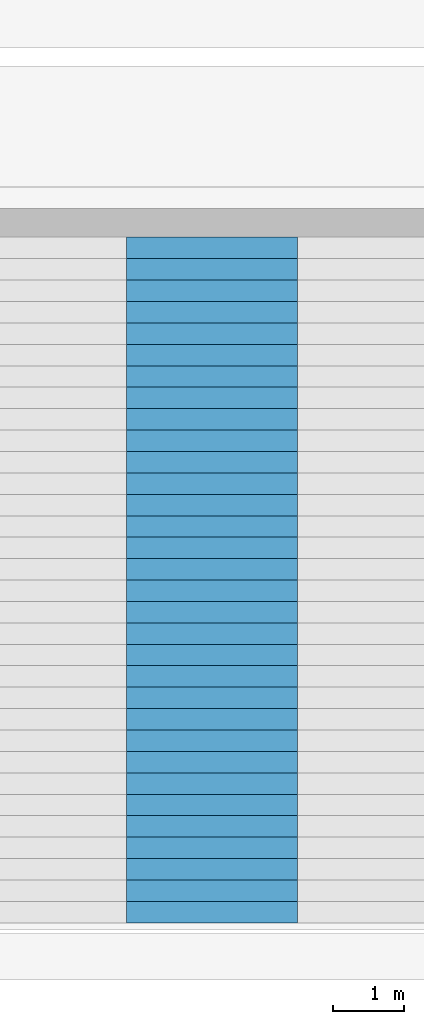
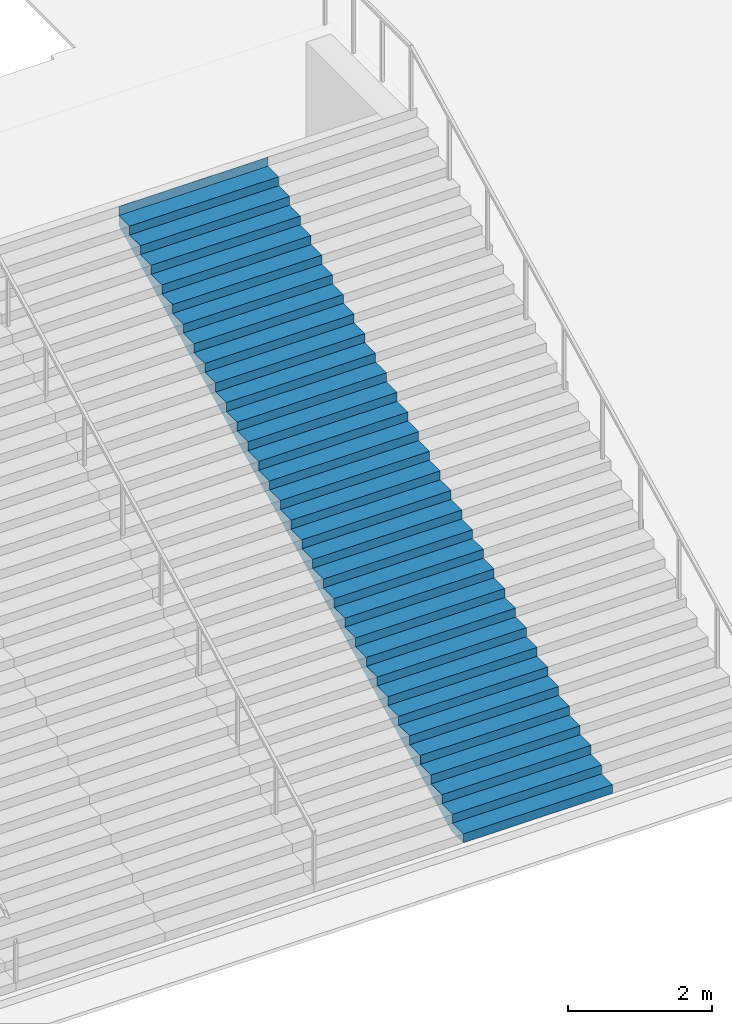
# One storey, part 38 of 57: 1 stair flight, 1 element without a shape of its own.
"""IFC4 building model written with IfcOpenShell, lengths in metres."""

from ifc_helpers import new_model, si_unit, direction, frame, origin, place, context, subcontext, project, spatial, triangles, material, type_object, element, aggregate, save


model = new_model("IFC4")

# Units and contexts
model_context = context("Model", 3, precision=1e-05, world=origin(), true_north=direction((0.0, 1.0)))
body_context = subcontext(model_context, "Body", "Model", "MODEL_VIEW")
ifc_project = project(units=[si_unit("LENGTHUNIT", "METRE"), si_unit("AREAUNIT", "SQUARE_METRE"), si_unit("VOLUMEUNIT", "CUBIC_METRE"), si_unit("PLANEANGLEUNIT", "RADIAN"), si_unit("MASSUNIT", "GRAM", prefix="KILO")], contexts=[model_context])

# Site, building, storey
site_placement = place(None, origin())
site = spatial("IfcSite", under=ifc_project, at=site_placement, CompositionType="ELEMENT")
building_placement = place(site_placement, origin())
building = spatial("IfcBuilding", under=site, at=building_placement, Name="Beryl Residences", CompositionType="ELEMENT")
storey_placement = place(building_placement, origin())
storey = spatial("IfcBuildingStorey", under=building, at=storey_placement, Name="L00", CompositionType="ELEMENT", Elevation=0.0)

# Stair, stair flight
ifc_material_1 = material(Name="Precast concrete C40/50", Category="concrete")
stair_type = type_object("IfcStairType", Name="GS1 garden stair", PredefinedType="STRAIGHT_RUN_STAIR", material=ifc_material_1)
stair_placement = place(storey_placement, origin())
stair = element("IfcStair", 1, at=stair_placement, inside=storey, type_object=stair_type, Name="GS1 garden stair", PredefinedType="STRAIGHT_RUN_STAIR")
ifc_material_2 = material(Name="Precast concrete C40/50", Category="concrete")
stair_flight_type = type_object("IfcStairFlightType", Name="GF1 garden stair flight", PredefinedType="STRAIGHT", material=ifc_material_2)
stair_flight_placement = place(storey_placement, frame((8.39990234375, -54.199951171875, 0.0), z_axis=(0.0, 0.0, 1.0), x_axis=(0.0, 1.0, 0.0)))
stair_flight = element("IfcStairFlight", 2, at=stair_flight_placement, type_object=stair_flight_type, Name="GS1 flight 9", NumberOfRisers=33, NumberOfTreads=32, PredefinedType="STRAIGHT", RiserHeight=0.151515152, TreadLength=0.3, context=body_context, shape_type="Tessellation", body=[
    triangles([(0.0, -1.199951171875, 0.0), (0.0, -0.60009765625, 0.0), (0.0, 0.0, 0.0), (0.0, 0.60009765625, 0.0), (0.0, 1.199951171875, 0.0), (0.0, -1.199951171875, 0.151611328125), (0.0, -0.60009765625, 0.151611328125), (0.0, 0.0, 0.151611328125), (0.0, 0.60009765625, 0.151611328125), (0.0, 1.199951171875, 0.151611328125), (0.300048828125, -1.199951171875, 0.151611328125), (0.300048828125, -0.60009765625, 0.151611328125), (0.300048828125, 0.0, 0.151611328125), (0.300048828125, 0.60009765625, 0.151611328125), (0.300048828125, 1.199951171875, 0.151611328125), (0.300048828125, -1.199951171875, 0.302978515625), (0.300048828125, -0.60009765625, 0.302978515625), (0.300048828125, 0.0, 0.302978515625), (0.300048828125, 0.60009765625, 0.302978515625), (0.300048828125, 1.199951171875, 0.302978515625), (0.60009765625, -1.199951171875, 0.302978515625), (0.60009765625, -0.60009765625, 0.302978515625), (0.60009765625, 0.0, 0.302978515625), (0.60009765625, 0.60009765625, 0.302978515625), (0.60009765625, 1.199951171875, 0.302978515625), (0.60009765625, -1.199951171875, 0.45458984375), (0.60009765625, -0.60009765625, 0.45458984375), (0.60009765625, 0.0, 0.45458984375), (0.60009765625, 0.60009765625, 0.45458984375), (0.60009765625, 1.199951171875, 0.45458984375), (0.89990234375, -1.199951171875, 0.45458984375), (0.89990234375, -0.60009765625, 0.45458984375), (0.89990234375, 0.0, 0.45458984375), (0.89990234375, 0.60009765625, 0.45458984375), (0.89990234375, 1.199951171875, 0.45458984375), (0.89990234375, -1.199951171875, 0.60595703125), (0.89990234375, -0.60009765625, 0.60595703125), (0.89990234375, 0.0, 0.60595703125), (0.89990234375, 0.60009765625, 0.60595703125), (0.89990234375, 1.199951171875, 0.60595703125), (1.199951171875, -1.199951171875, 0.60595703125), (1.199951171875, -0.60009765625, 0.60595703125), (1.199951171875, 0.0, 0.60595703125), (1.199951171875, 0.60009765625, 0.60595703125), (1.199951171875, 1.199951171875, 0.60595703125), (1.199951171875, -1.199951171875, 0.757568359375), (1.199951171875, -0.60009765625, 0.757568359375), (1.199951171875, 0.0, 0.757568359375), (1.199951171875, 0.60009765625, 0.757568359375), (1.199951171875, 1.199951171875, 0.757568359375), (1.5, -1.199951171875, 0.757568359375), (1.5, -0.60009765625, 0.757568359375), (1.5, 0.0, 0.757568359375), (1.5, 0.60009765625, 0.757568359375), (1.5, 1.199951171875, 0.757568359375), (1.5, -1.199951171875, 0.9091796875), (1.5, -0.60009765625, 0.9091796875), (1.5, 0.0, 0.9091796875), (1.5, 0.60009765625, 0.9091796875), (1.5, 1.199951171875, 0.9091796875), (1.800048828125, -1.199951171875, 0.9091796875), (1.800048828125, -0.60009765625, 0.9091796875), (1.800048828125, 0.0, 0.9091796875), (1.800048828125, 0.60009765625, 0.9091796875), (1.800048828125, 1.199951171875, 0.9091796875), (1.800048828125, -1.199951171875, 1.060546875), (1.800048828125, -0.60009765625, 1.060546875), (1.800048828125, 0.0, 1.060546875), (1.800048828125, 0.60009765625, 1.060546875), (1.800048828125, 1.199951171875, 1.060546875), (2.10009765625, -1.199951171875, 1.060546875), (2.10009765625, -0.60009765625, 1.060546875), (2.10009765625, 0.0, 1.060546875), (2.10009765625, 0.60009765625, 1.060546875), (2.10009765625, 1.199951171875, 1.060546875), (2.10009765625, -1.199951171875, 1.212158203125), (2.10009765625, -0.60009765625, 1.212158203125), (2.10009765625, 0.0, 1.212158203125), (2.10009765625, 0.60009765625, 1.212158203125), (2.10009765625, 1.199951171875, 1.212158203125), (2.39990234375, -1.199951171875, 1.212158203125), (2.39990234375, -0.60009765625, 1.212158203125), (2.39990234375, 0.0, 1.212158203125), (2.39990234375, 0.60009765625, 1.212158203125), (2.39990234375, 1.199951171875, 1.212158203125), (2.39990234375, -1.199951171875, 1.363525390625), (2.39990234375, -0.60009765625, 1.363525390625), (2.39990234375, 0.0, 1.363525390625), (2.39990234375, 0.60009765625, 1.363525390625), (2.39990234375, 1.199951171875, 1.363525390625), (2.699951171875, -1.199951171875, 1.363525390625), (2.699951171875, -0.60009765625, 1.363525390625), (2.699951171875, 0.0, 1.363525390625), (2.699951171875, 0.60009765625, 1.363525390625), (2.699951171875, 1.199951171875, 1.363525390625), (2.699951171875, -1.199951171875, 1.51513671875), (2.699951171875, -0.60009765625, 1.51513671875), (2.699951171875, 0.0, 1.51513671875), (2.699951171875, 0.60009765625, 1.51513671875), (2.699951171875, 1.199951171875, 1.51513671875), (3.0, -1.199951171875, 1.51513671875), (3.0, -0.60009765625, 1.51513671875), (3.0, 0.0, 1.51513671875), (3.0, 0.60009765625, 1.51513671875), (3.0, 1.199951171875, 1.51513671875), (3.0, -1.199951171875, 1.666748046875), (3.0, -0.60009765625, 1.666748046875), (3.0, 0.0, 1.666748046875), (3.0, 0.60009765625, 1.666748046875), (3.0, 1.199951171875, 1.666748046875), (3.300048828125, -1.199951171875, 1.666748046875), (3.300048828125, -0.60009765625, 1.666748046875), (3.300048828125, 0.0, 1.666748046875), (3.300048828125, 0.60009765625, 1.666748046875), (3.300048828125, 1.199951171875, 1.666748046875), (3.300048828125, -1.199951171875, 1.818115234375), (3.300048828125, -0.60009765625, 1.818115234375), (3.300048828125, 0.0, 1.818115234375), (3.300048828125, 0.60009765625, 1.818115234375), (3.300048828125, 1.199951171875, 1.818115234375), (3.60009765625, -1.199951171875, 1.818115234375), (3.60009765625, -0.60009765625, 1.818115234375), (3.60009765625, 0.0, 1.818115234375), (3.60009765625, 0.60009765625, 1.818115234375), (3.60009765625, 1.199951171875, 1.818115234375), (3.60009765625, -1.199951171875, 1.9697265625), (3.60009765625, -0.60009765625, 1.9697265625), (3.60009765625, 0.0, 1.9697265625), (3.60009765625, 0.60009765625, 1.9697265625), (3.60009765625, 1.199951171875, 1.9697265625), (3.89990234375, -1.199951171875, 1.9697265625), (3.89990234375, -0.60009765625, 1.9697265625), (3.89990234375, 0.0, 1.9697265625), (3.89990234375, 0.60009765625, 1.9697265625), (3.89990234375, 1.199951171875, 1.9697265625), (3.89990234375, -1.199951171875, 2.12109375), (3.89990234375, -0.60009765625, 2.12109375), (3.89990234375, 0.0, 2.12109375), (3.89990234375, 0.60009765625, 2.12109375), (3.89990234375, 1.199951171875, 2.12109375), (4.199951171875, -1.199951171875, 2.12109375), (4.199951171875, -0.60009765625, 2.12109375), (4.199951171875, 0.0, 2.12109375), (4.199951171875, 0.60009765625, 2.12109375), (4.199951171875, 1.199951171875, 2.12109375), (4.199951171875, -1.199951171875, 2.272705078125), (4.199951171875, -0.60009765625, 2.272705078125), (4.199951171875, 0.0, 2.272705078125), (4.199951171875, 0.60009765625, 2.272705078125), (4.199951171875, 1.199951171875, 2.272705078125), (4.5, -1.199951171875, 2.272705078125), (4.5, -0.60009765625, 2.272705078125), (4.5, 0.0, 2.272705078125), (4.5, 0.60009765625, 2.272705078125), (4.5, 1.199951171875, 2.272705078125), (4.5, -1.199951171875, 2.42431640625), (4.5, -0.60009765625, 2.42431640625), (4.5, 0.0, 2.42431640625), (4.5, 0.60009765625, 2.42431640625), (4.5, 1.199951171875, 2.42431640625), (4.800048828125, -1.199951171875, 2.42431640625), (4.800048828125, -0.60009765625, 2.42431640625), (4.800048828125, 0.0, 2.42431640625), (4.800048828125, 0.60009765625, 2.42431640625), (4.800048828125, 1.199951171875, 2.42431640625), (4.800048828125, -1.199951171875, 2.57568359375), (4.800048828125, -0.60009765625, 2.57568359375), (4.800048828125, 0.0, 2.57568359375), (4.800048828125, 0.60009765625, 2.57568359375), (4.800048828125, 1.199951171875, 2.57568359375), (5.10009765625, -1.199951171875, 2.57568359375), (5.10009765625, -0.60009765625, 2.57568359375), (5.10009765625, 0.0, 2.57568359375), (5.10009765625, 0.60009765625, 2.57568359375), (5.10009765625, 1.199951171875, 2.57568359375), (5.10009765625, -1.199951171875, 2.727294921875), (5.10009765625, -0.60009765625, 2.727294921875), (5.10009765625, 0.0, 2.727294921875), (5.10009765625, 0.60009765625, 2.727294921875), (5.10009765625, 1.199951171875, 2.727294921875), (5.39990234375, -1.199951171875, 2.727294921875), (5.39990234375, -0.60009765625, 2.727294921875), (5.39990234375, 0.0, 2.727294921875), (5.39990234375, 0.60009765625, 2.727294921875), (5.39990234375, 1.199951171875, 2.727294921875), (5.39990234375, -1.199951171875, 2.87890625), (5.39990234375, -0.60009765625, 2.87890625), (5.39990234375, 0.0, 2.87890625), (5.39990234375, 0.60009765625, 2.87890625), (5.39990234375, 1.199951171875, 2.87890625), (5.699951171875, -1.199951171875, 2.87890625), (5.699951171875, -0.60009765625, 2.87890625), (5.699951171875, 0.0, 2.87890625), (5.699951171875, 0.60009765625, 2.87890625), (5.699951171875, 1.199951171875, 2.87890625), (5.699951171875, -1.199951171875, 3.0302734375), (5.699951171875, -0.60009765625, 3.0302734375), (5.699951171875, 0.0, 3.0302734375), (5.699951171875, 0.60009765625, 3.0302734375), (5.699951171875, 1.199951171875, 3.0302734375), (6.0, -1.199951171875, 3.0302734375), (6.0, -0.60009765625, 3.0302734375), (6.0, 0.0, 3.0302734375), (6.0, 0.60009765625, 3.0302734375), (6.0, 1.199951171875, 3.0302734375), (6.0, -1.199951171875, 3.181884765625), (6.0, -0.60009765625, 3.181884765625), (6.0, 0.0, 3.181884765625), (6.0, 0.60009765625, 3.181884765625), (6.0, 1.199951171875, 3.181884765625), (6.300048828125, -1.199951171875, 3.181884765625), (6.300048828125, -0.60009765625, 3.181884765625), (6.300048828125, 0.0, 3.181884765625), (6.300048828125, 0.60009765625, 3.181884765625), (6.300048828125, 1.199951171875, 3.181884765625), (6.300048828125, -1.199951171875, 3.333251953125), (6.300048828125, -0.60009765625, 3.333251953125), (6.300048828125, 0.0, 3.333251953125), (6.300048828125, 0.60009765625, 3.333251953125), (6.300048828125, 1.199951171875, 3.333251953125), (6.60009765625, -1.199951171875, 3.333251953125), (6.60009765625, -0.60009765625, 3.333251953125), (6.60009765625, 0.0, 3.333251953125), (6.60009765625, 0.60009765625, 3.333251953125), (6.60009765625, 1.199951171875, 3.333251953125), (6.60009765625, -1.199951171875, 3.48486328125), (6.60009765625, -0.60009765625, 3.48486328125), (6.60009765625, 0.0, 3.48486328125), (6.60009765625, 0.60009765625, 3.48486328125), (6.60009765625, 1.199951171875, 3.48486328125), (6.89990234375, -1.199951171875, 3.48486328125), (6.89990234375, -0.60009765625, 3.48486328125), (6.89990234375, 0.0, 3.48486328125), (6.89990234375, 0.60009765625, 3.48486328125), (6.89990234375, 1.199951171875, 3.48486328125), (6.89990234375, -1.199951171875, 3.636474609375), (6.89990234375, -0.60009765625, 3.636474609375), (6.89990234375, 0.0, 3.636474609375), (6.89990234375, 0.60009765625, 3.636474609375), (6.89990234375, 1.199951171875, 3.636474609375), (7.199951171875, -1.199951171875, 3.636474609375), (7.199951171875, -0.60009765625, 3.636474609375), (7.199951171875, 0.0, 3.636474609375), (7.199951171875, 0.60009765625, 3.636474609375), (7.199951171875, 1.199951171875, 3.636474609375), (7.199951171875, -1.199951171875, 3.787841796875), (7.199951171875, -0.60009765625, 3.787841796875), (7.199951171875, 0.0, 3.787841796875), (7.199951171875, 0.60009765625, 3.787841796875), (7.199951171875, 1.199951171875, 3.787841796875), (7.5, -1.199951171875, 3.787841796875), (7.5, -0.60009765625, 3.787841796875), (7.5, 0.0, 3.787841796875), (7.5, 0.60009765625, 3.787841796875), (7.5, 1.199951171875, 3.787841796875), (7.5, -1.199951171875, 3.939453125), (7.5, -0.60009765625, 3.939453125), (7.5, 0.0, 3.939453125), (7.5, 0.60009765625, 3.939453125), (7.5, 1.199951171875, 3.939453125), (7.800048828125, -1.199951171875, 3.939453125), (7.800048828125, -0.60009765625, 3.939453125), (7.800048828125, 0.0, 3.939453125), (7.800048828125, 0.60009765625, 3.939453125), (7.800048828125, 1.199951171875, 3.939453125), (7.800048828125, -1.199951171875, 4.0908203125), (7.800048828125, -0.60009765625, 4.0908203125), (7.800048828125, 0.0, 4.0908203125), (7.800048828125, 0.60009765625, 4.0908203125), (7.800048828125, 1.199951171875, 4.0908203125), (8.10009765625, -1.199951171875, 4.0908203125), (8.10009765625, -0.60009765625, 4.0908203125), (8.10009765625, 0.0, 4.0908203125), (8.10009765625, 0.60009765625, 4.0908203125), (8.10009765625, 1.199951171875, 4.0908203125), (8.10009765625, -1.199951171875, 4.242431640625), (8.10009765625, -0.60009765625, 4.242431640625), (8.10009765625, 0.0, 4.242431640625), (8.10009765625, 0.60009765625, 4.242431640625), (8.10009765625, 1.199951171875, 4.242431640625), (8.39990234375, -1.199951171875, 4.242431640625), (8.39990234375, -0.60009765625, 4.242431640625), (8.39990234375, 0.0, 4.242431640625), (8.39990234375, 0.60009765625, 4.242431640625), (8.39990234375, 1.199951171875, 4.242431640625), (8.39990234375, -1.199951171875, 4.39404296875), (8.39990234375, -0.60009765625, 4.39404296875), (8.39990234375, 0.0, 4.39404296875), (8.39990234375, 0.60009765625, 4.39404296875), (8.39990234375, 1.199951171875, 4.39404296875), (8.699951171875, -1.199951171875, 4.39404296875), (8.699951171875, -0.60009765625, 4.39404296875), (8.699951171875, 0.0, 4.39404296875), (8.699951171875, 0.60009765625, 4.39404296875), (8.699951171875, 1.199951171875, 4.39404296875), (8.699951171875, -1.199951171875, 4.54541015625), (8.699951171875, -0.60009765625, 4.54541015625), (8.699951171875, 0.0, 4.54541015625), (8.699951171875, 0.60009765625, 4.54541015625), (8.699951171875, 1.199951171875, 4.54541015625), (9.0, -1.199951171875, 4.54541015625), (9.0, -0.60009765625, 4.54541015625), (9.0, 0.0, 4.54541015625), (9.0, 0.60009765625, 4.54541015625), (9.0, 1.199951171875, 4.54541015625), (9.0, -1.199951171875, 4.697021484375), (9.0, -0.60009765625, 4.697021484375), (9.0, 0.0, 4.697021484375), (9.0, 0.60009765625, 4.697021484375), (9.0, 1.199951171875, 4.697021484375), (9.300048828125, -1.199951171875, 4.697021484375), (9.300048828125, -0.60009765625, 4.697021484375), (9.300048828125, 0.0, 4.697021484375), (9.300048828125, 0.60009765625, 4.697021484375), (9.300048828125, 1.199951171875, 4.697021484375), (9.300048828125, -1.199951171875, 4.848388671875), (9.300048828125, -0.60009765625, 4.848388671875), (9.300048828125, 0.0, 4.848388671875), (9.300048828125, 0.60009765625, 4.848388671875), (9.300048828125, 1.199951171875, 4.848388671875), (9.60009765625, -1.199951171875, 4.848388671875), (9.60009765625, -0.60009765625, 4.848388671875), (9.60009765625, 0.0, 4.848388671875), (9.60009765625, 0.60009765625, 4.848388671875), (9.60009765625, 1.199951171875, 4.848388671875), (9.60009765625, -1.199951171875, 5.0), (9.60009765625, -0.60009765625, 5.0), (9.60009765625, 0.0, 5.0), (9.60009765625, 0.60009765625, 5.0), (9.60009765625, 1.199951171875, 5.0), (9.60107421875, -1.199951171875, 5.0), (9.60107421875, -0.60009765625, 5.0), (9.60107421875, 0.0, 5.0), (9.60107421875, 0.60009765625, 5.0), (9.60107421875, 1.199951171875, 5.0), (9.60107421875, -1.199951171875, 4.6806640625), (9.60107421875, -0.60009765625, 4.6806640625), (9.60107421875, 0.0, 4.6806640625), (9.60107421875, 0.60009765625, 4.6806640625), (9.60107421875, 1.199951171875, 4.6806640625), (0.33349609375, -1.199951171875, 0.0), (0.33349609375, -0.60009765625, 0.0), (0.33349609375, 0.0, 0.0), (0.33349609375, 0.60009765625, 0.0), (0.33349609375, 1.199951171875, 0.0)], [[1, 6, 7], [1, 7, 2], [2, 7, 8], [2, 8, 3], [3, 8, 9], [3, 9, 4], [4, 9, 10], [4, 10, 5], [6, 11, 12], [6, 12, 7], [7, 12, 13], [7, 13, 8], [8, 13, 14], [8, 14, 9], [9, 14, 15], [9, 15, 10], [11, 16, 17], [11, 17, 12], [12, 17, 18], [12, 18, 13], [13, 18, 19], [13, 19, 14], [14, 19, 20], [14, 20, 15], [16, 21, 22], [16, 22, 17], [17, 22, 23], [17, 23, 18], [18, 23, 24], [18, 24, 19], [19, 24, 25], [19, 25, 20], [21, 26, 27], [21, 27, 22], [22, 27, 28], [22, 28, 23], [23, 28, 29], [23, 29, 24], [24, 29, 30], [24, 30, 25], [26, 31, 32], [26, 32, 27], [27, 32, 33], [27, 33, 28], [28, 33, 34], [28, 34, 29], [29, 34, 35], [29, 35, 30], [31, 36, 37], [31, 37, 32], [32, 37, 38], [32, 38, 33], [33, 38, 39], [33, 39, 34], [34, 39, 40], [34, 40, 35], [36, 41, 42], [36, 42, 37], [37, 42, 43], [37, 43, 38], [38, 43, 44], [38, 44, 39], [39, 44, 45], [39, 45, 40], [41, 46, 47], [41, 47, 42], [42, 47, 48], [42, 48, 43], [43, 48, 49], [43, 49, 44], [44, 49, 50], [44, 50, 45], [46, 51, 52], [46, 52, 47], [47, 52, 53], [47, 53, 48], [48, 53, 54], [48, 54, 49], [49, 54, 55], [49, 55, 50], [51, 56, 57], [51, 57, 52], [52, 57, 58], [52, 58, 53], [53, 58, 59], [53, 59, 54], [54, 59, 60], [54, 60, 55], [56, 61, 62], [56, 62, 57], [57, 62, 63], [57, 63, 58], [58, 63, 64], [58, 64, 59], [59, 64, 65], [59, 65, 60], [61, 66, 67], [61, 67, 62], [62, 67, 68], [62, 68, 63], [63, 68, 69], [63, 69, 64], [64, 69, 70], [64, 70, 65], [66, 71, 72], [66, 72, 67], [67, 72, 73], [67, 73, 68], [68, 73, 74], [68, 74, 69], [69, 74, 75], [69, 75, 70], [71, 76, 77], [71, 77, 72], [72, 77, 78], [72, 78, 73], [73, 78, 79], [73, 79, 74], [74, 79, 80], [74, 80, 75], [76, 81, 82], [76, 82, 77], [77, 82, 83], [77, 83, 78], [78, 83, 84], [78, 84, 79], [79, 84, 85], [79, 85, 80], [81, 86, 87], [81, 87, 82], [82, 87, 88], [82, 88, 83], [83, 88, 89], [83, 89, 84], [84, 89, 90], [84, 90, 85], [86, 91, 92], [86, 92, 87], [87, 92, 93], [87, 93, 88], [88, 93, 94], [88, 94, 89], [89, 94, 95], [89, 95, 90], [91, 96, 97], [91, 97, 92], [92, 97, 98], [92, 98, 93], [93, 98, 99], [93, 99, 94], [94, 99, 100], [94, 100, 95], [96, 101, 102], [96, 102, 97], [97, 102, 103], [97, 103, 98], [98, 103, 104], [98, 104, 99], [99, 104, 105], [99, 105, 100], [101, 106, 107], [101, 107, 102], [102, 107, 108], [102, 108, 103], [103, 108, 109], [103, 109, 104], [104, 109, 110], [104, 110, 105], [106, 111, 112], [106, 112, 107], [107, 112, 113], [107, 113, 108], [108, 113, 114], [108, 114, 109], [109, 114, 115], [109, 115, 110], [111, 116, 117], [111, 117, 112], [112, 117, 118], [112, 118, 113], [113, 118, 119], [113, 119, 114], [114, 119, 120], [114, 120, 115], [116, 121, 122], [116, 122, 117], [117, 122, 123], [117, 123, 118], [118, 123, 124], [118, 124, 119], [119, 124, 125], [119, 125, 120], [121, 126, 127], [121, 127, 122], [122, 127, 128], [122, 128, 123], [123, 128, 129], [123, 129, 124], [124, 129, 130], [124, 130, 125], [126, 131, 132], [126, 132, 127], [127, 132, 133], [127, 133, 128], [128, 133, 134], [128, 134, 129], [129, 134, 135], [129, 135, 130], [131, 136, 137], [131, 137, 132], [132, 137, 138], [132, 138, 133], [133, 138, 139], [133, 139, 134], [134, 139, 140], [134, 140, 135], [136, 141, 142], [136, 142, 137], [137, 142, 143], [137, 143, 138], [138, 143, 144], [138, 144, 139], [139, 144, 145], [139, 145, 140], [141, 146, 147], [141, 147, 142], [142, 147, 148], [142, 148, 143], [143, 148, 149], [143, 149, 144], [144, 149, 150], [144, 150, 145], [146, 151, 152], [146, 152, 147], [147, 152, 153], [147, 153, 148], [148, 153, 154], [148, 154, 149], [149, 154, 155], [149, 155, 150], [151, 156, 157], [151, 157, 152], [152, 157, 158], [152, 158, 153], [153, 158, 159], [153, 159, 154], [154, 159, 160], [154, 160, 155], [156, 161, 162], [156, 162, 157], [157, 162, 163], [157, 163, 158], [158, 163, 164], [158, 164, 159], [159, 164, 165], [159, 165, 160], [161, 166, 167], [161, 167, 162], [162, 167, 168], [162, 168, 163], [163, 168, 169], [163, 169, 164], [164, 169, 170], [164, 170, 165], [166, 171, 172], [166, 172, 167], [167, 172, 173], [167, 173, 168], [168, 173, 174], [168, 174, 169], [169, 174, 175], [169, 175, 170], [171, 176, 177], [171, 177, 172], [172, 177, 178], [172, 178, 173], [173, 178, 179], [173, 179, 174], [174, 179, 180], [174, 180, 175], [176, 181, 182], [176, 182, 177], [177, 182, 183], [177, 183, 178], [178, 183, 184], [178, 184, 179], [179, 184, 185], [179, 185, 180], [181, 186, 187], [181, 187, 182], [182, 187, 188], [182, 188, 183], [183, 188, 189], [183, 189, 184], [184, 189, 190], [184, 190, 185], [186, 191, 192], [186, 192, 187], [187, 192, 193], [187, 193, 188], [188, 193, 194], [188, 194, 189], [189, 194, 195], [189, 195, 190], [191, 196, 197], [191, 197, 192], [192, 197, 198], [192, 198, 193], [193, 198, 199], [193, 199, 194], [194, 199, 200], [194, 200, 195], [196, 201, 202], [196, 202, 197], [197, 202, 203], [197, 203, 198], [198, 203, 204], [198, 204, 199], [199, 204, 205], [199, 205, 200], [201, 206, 207], [201, 207, 202], [202, 207, 208], [202, 208, 203], [203, 208, 209], [203, 209, 204], [204, 209, 210], [204, 210, 205], [206, 211, 212], [206, 212, 207], [207, 212, 213], [207, 213, 208], [208, 213, 214], [208, 214, 209], [209, 214, 215], [209, 215, 210], [211, 216, 217], [211, 217, 212], [212, 217, 218], [212, 218, 213], [213, 218, 219], [213, 219, 214], [214, 219, 220], [214, 220, 215], [216, 221, 222], [216, 222, 217], [217, 222, 223], [217, 223, 218], [218, 223, 224], [218, 224, 219], [219, 224, 225], [219, 225, 220], [221, 226, 227], [221, 227, 222], [222, 227, 228], [222, 228, 223], [223, 228, 229], [223, 229, 224], [224, 229, 230], [224, 230, 225], [226, 231, 232], [226, 232, 227], [227, 232, 233], [227, 233, 228], [228, 233, 234], [228, 234, 229], [229, 234, 235], [229, 235, 230], [231, 236, 237], [231, 237, 232], [232, 237, 238], [232, 238, 233], [233, 238, 239], [233, 239, 234], [234, 239, 240], [234, 240, 235], [236, 241, 242], [236, 242, 237], [237, 242, 243], [237, 243, 238], [238, 243, 244], [238, 244, 239], [239, 244, 245], [239, 245, 240], [241, 246, 247], [241, 247, 242], [242, 247, 248], [242, 248, 243], [243, 248, 249], [243, 249, 244], [244, 249, 250], [244, 250, 245], [246, 251, 252], [246, 252, 247], [247, 252, 253], [247, 253, 248], [248, 253, 254], [248, 254, 249], [249, 254, 255], [249, 255, 250], [251, 256, 257], [251, 257, 252], [252, 257, 258], [252, 258, 253], [253, 258, 259], [253, 259, 254], [254, 259, 260], [254, 260, 255], [256, 261, 262], [256, 262, 257], [257, 262, 263], [257, 263, 258], [258, 263, 264], [258, 264, 259], [259, 264, 265], [259, 265, 260], [261, 266, 267], [261, 267, 262], [262, 267, 268], [262, 268, 263], [263, 268, 269], [263, 269, 264], [264, 269, 270], [264, 270, 265], [266, 271, 272], [266, 272, 267], [267, 272, 273], [267, 273, 268], [268, 273, 274], [268, 274, 269], [269, 274, 275], [269, 275, 270], [271, 276, 277], [271, 277, 272], [272, 277, 278], [272, 278, 273], [273, 278, 279], [273, 279, 274], [274, 279, 280], [274, 280, 275], [276, 281, 282], [276, 282, 277], [277, 282, 283], [277, 283, 278], [278, 283, 284], [278, 284, 279], [279, 284, 285], [279, 285, 280], [281, 286, 287], [281, 287, 282], [282, 287, 288], [282, 288, 283], [283, 288, 289], [283, 289, 284], [284, 289, 290], [284, 290, 285], [286, 291, 292], [286, 292, 287], [287, 292, 293], [287, 293, 288], [288, 293, 294], [288, 294, 289], [289, 294, 295], [289, 295, 290], [291, 296, 297], [291, 297, 292], [292, 297, 298], [292, 298, 293], [293, 298, 299], [293, 299, 294], [294, 299, 300], [294, 300, 295], [296, 301, 302], [296, 302, 297], [297, 302, 303], [297, 303, 298], [298, 303, 304], [298, 304, 299], [299, 304, 305], [299, 305, 300], [301, 306, 307], [301, 307, 302], [302, 307, 308], [302, 308, 303], [303, 308, 309], [303, 309, 304], [304, 309, 310], [304, 310, 305], [306, 311, 312], [306, 312, 307], [307, 312, 313], [307, 313, 308], [308, 313, 314], [308, 314, 309], [309, 314, 315], [309, 315, 310], [311, 316, 317], [311, 317, 312], [312, 317, 318], [312, 318, 313], [313, 318, 319], [313, 319, 314], [314, 319, 320], [314, 320, 315], [316, 321, 322], [316, 322, 317], [317, 322, 323], [317, 323, 318], [318, 323, 324], [318, 324, 319], [319, 324, 325], [319, 325, 320], [321, 326, 327], [321, 327, 322], [322, 327, 328], [322, 328, 323], [323, 328, 329], [323, 329, 324], [324, 329, 330], [324, 330, 325], [326, 331, 332], [326, 332, 327], [327, 332, 333], [327, 333, 328], [328, 333, 334], [328, 334, 329], [329, 334, 335], [329, 335, 330], [331, 336, 337], [331, 337, 332], [332, 337, 338], [332, 338, 333], [333, 338, 339], [333, 339, 334], [334, 339, 340], [334, 340, 335], [336, 341, 342], [336, 342, 337], [337, 342, 343], [337, 343, 338], [338, 343, 344], [338, 344, 339], [339, 344, 345], [339, 345, 340], [341, 1, 2], [341, 2, 342], [342, 2, 3], [342, 3, 343], [343, 3, 4], [343, 4, 344], [344, 4, 5], [344, 5, 345], [1, 341, 336], [5, 340, 345], [336, 331, 326], [340, 330, 335], [336, 326, 321], [340, 325, 330], [336, 321, 316], [340, 320, 325], [336, 316, 311], [340, 315, 320], [336, 311, 306], [340, 310, 315], [336, 306, 301], [340, 305, 310], [301, 296, 291], [305, 295, 300], [336, 301, 291], [340, 295, 305], [291, 286, 281], [295, 285, 290], [336, 291, 281], [340, 285, 295], [281, 276, 271], [285, 275, 280], [336, 281, 271], [340, 275, 285], [271, 266, 261], [275, 265, 270], [336, 271, 261], [340, 265, 275], [261, 256, 251], [265, 255, 260], [336, 261, 251], [340, 255, 265], [251, 246, 241], [255, 245, 250], [336, 251, 241], [340, 245, 255], [241, 236, 231], [245, 235, 240], [336, 241, 231], [340, 235, 245], [231, 226, 221], [235, 225, 230], [336, 231, 221], [340, 225, 235], [221, 216, 211], [225, 215, 220], [336, 221, 211], [340, 215, 225], [211, 206, 201], [215, 205, 210], [336, 211, 201], [340, 205, 215], [201, 196, 191], [205, 195, 200], [336, 201, 191], [340, 195, 205], [191, 186, 181], [195, 185, 190], [336, 191, 181], [340, 185, 195], [181, 176, 171], [185, 175, 180], [336, 181, 171], [340, 175, 185], [171, 166, 161], [175, 165, 170], [336, 171, 161], [340, 165, 175], [161, 156, 151], [165, 155, 160], [336, 161, 151], [340, 155, 165], [151, 146, 141], [155, 145, 150], [336, 151, 141], [340, 145, 155], [141, 136, 131], [145, 135, 140], [336, 141, 131], [340, 135, 145], [131, 126, 121], [135, 125, 130], [336, 131, 121], [340, 125, 135], [121, 116, 111], [125, 115, 120], [336, 121, 111], [340, 115, 125], [111, 106, 101], [115, 105, 110], [336, 111, 101], [340, 105, 115], [101, 96, 91], [105, 95, 100], [336, 101, 91], [340, 95, 105], [91, 86, 81], [95, 85, 90], [336, 91, 81], [340, 85, 95], [81, 76, 71], [85, 75, 80], [336, 81, 71], [340, 75, 85], [71, 66, 61], [75, 65, 70], [336, 71, 61], [340, 65, 75], [61, 56, 51], [65, 55, 60], [336, 61, 51], [340, 55, 65], [51, 46, 41], [55, 45, 50], [336, 51, 41], [340, 45, 55], [41, 36, 31], [45, 35, 40], [336, 41, 31], [340, 35, 45], [31, 26, 21], [35, 25, 30], [336, 31, 21], [340, 25, 35], [1, 336, 21], [5, 25, 340], [21, 16, 11], [25, 15, 20], [1, 21, 11], [5, 15, 25], [11, 6, 1], [15, 5, 10]], closed=True),
])
aggregate(stair, [stair_flight])

save(model, "model.ifc")
